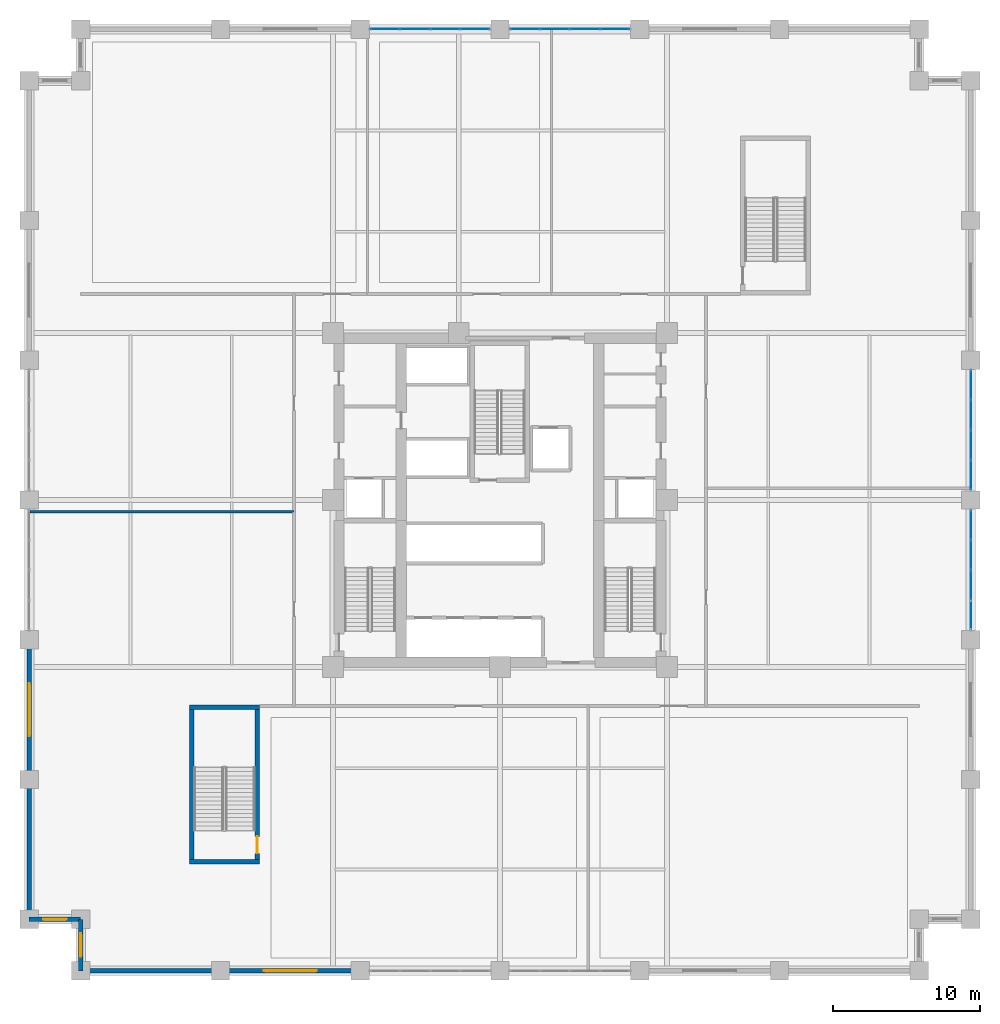
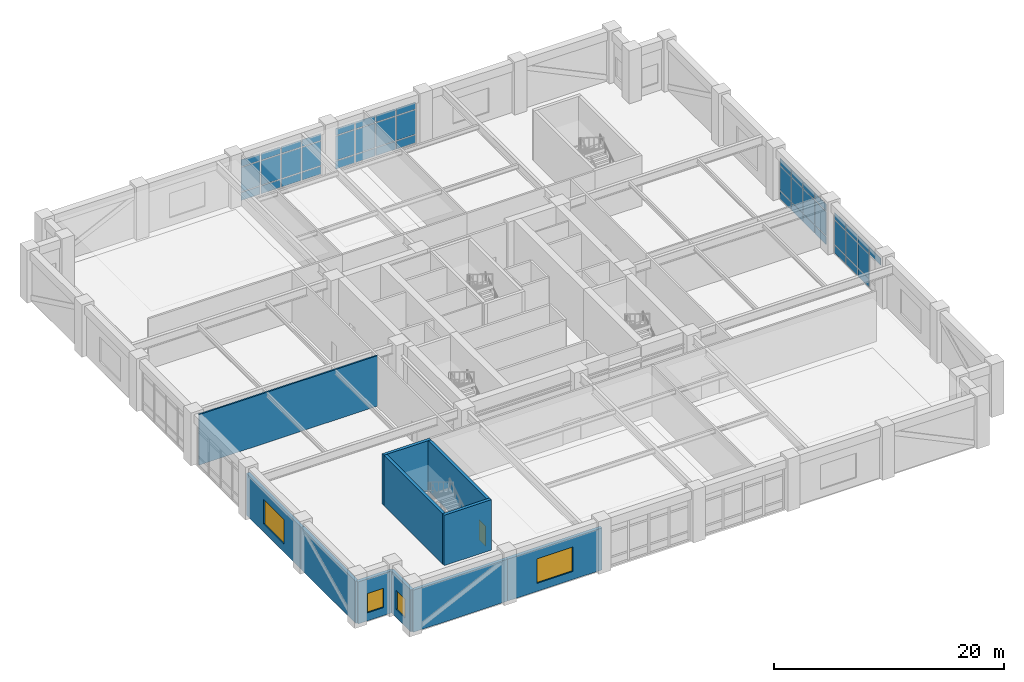
# One storey, part 11 of 21: 46 plates, 11 walls, 4 windows, 1 door, 5 openings, 4 elements without a shape of their own.
"""IFC4 building model written with IfcOpenShell, lengths in metres."""

import ifcopenshell
import ifcopenshell.guid

model = None  # the IFC model being written
_history = None  # IfcOwnerHistory: only IFC2X3 demands one
_inside = {}  # id of a spatial element -> (the spatial element, [elements in it])
_under = {}  # id of a project, library or spatial element -> (it, [spatial elements below it])
_declared = {}  # id of a project -> (the project, [libraries it declares])
_typed = {}  # id of a type object -> (the type object, [elements of that type])
_made_of = {}  # id of a material, layer set ... -> (it, [elements and type objects made of it])


def new_model(schema):
    """Start an empty IFC model of exactly this schema.

    Asked for "IFC4X3", IfcOpenShell would pick the latest addendum, in which some entities
    have other attributes; the version numbers below select the first issue.
    IFC2X3 requires an IfcOwnerHistory on every rooted entity: one is made here for all.
    """
    global model, _history
    if schema == "IFC4X3":
        model = ifcopenshell.file(schema_version=(4, 3, 0, 0))
    else:
        model = ifcopenshell.file(schema=schema)
    _inside.clear()
    _under.clear()
    _declared.clear()
    _typed.clear()
    _made_of.clear()
    _history = None
    if model.schema == "IFC2X3":
        org = make("IfcOrganization", Name="unknown")
        user = make(
            "IfcPersonAndOrganization",
            ThePerson=make("IfcPerson", FamilyName="unknown"),
            TheOrganization=org,
        )
        app = make(
            "IfcApplication",
            ApplicationDeveloper=org,
            Version="unknown",
            ApplicationFullName="unknown",
            ApplicationIdentifier="unknown",
        )
        _history = make(
            "IfcOwnerHistory",
            OwningUser=user,
            OwningApplication=app,
            ChangeAction="ADDED",
            CreationDate=0,
        )
    return model


def make(cls, **values):
    """One entity of the class cls with the attributes given. An attribute that is None is left unset."""
    return model.create_entity(
        cls, **{name: value for name, value in values.items() if value is not None}
    )


def rooted(cls, **values):
    """An entity with a GlobalId (a new one), such as an element, a storey or a relation."""
    return make(cls, GlobalId=ifcopenshell.guid.new(), OwnerHistory=_history, **values)


def si_unit(unit_type, name, prefix=None):
    """IfcSIUnit, for example si_unit("LENGTHUNIT", "METRE", prefix="MILLI")."""
    return make("IfcSIUnit", UnitType=unit_type, Prefix=prefix, Name=name)


def assignment(units):
    """IfcUnitAssignment: the units of a project."""
    return None if units is None else make("IfcUnitAssignment", Units=units)


def point(xyz):
    """IfcCartesianPoint."""
    return None if xyz is None else make("IfcCartesianPoint", Coordinates=xyz)


def direction(xyz):
    """IfcDirection."""
    return None if xyz is None else make("IfcDirection", DirectionRatios=xyz)


def frame(location, z_axis=None, x_axis=None):
    """IfcAxis2Placement3D, a coordinate frame: its origin and axes. An axis left out is left unset."""
    return make(
        "IfcAxis2Placement3D",
        Location=point(location),
        Axis=direction(z_axis),
        RefDirection=direction(x_axis),
    )


def frame_2d(location, x_axis=None):
    """IfcAxis2Placement2D, a coordinate frame in the plane: its origin and x axis."""
    return make(
        "IfcAxis2Placement2D", Location=point(location), RefDirection=direction(x_axis)
    )


def origin():
    """The frame at (0, 0, 0) with its axes left unset."""
    return frame((0.0, 0.0, 0.0))


def origin_2d():
    """The frame at (0, 0) in the plane with its x axis left unset."""
    return frame_2d((0.0, 0.0))


def place(relative_to, where):
    """IfcLocalPlacement: puts the frame where relative to a parent placement (None: the world)."""
    return make(
        "IfcLocalPlacement", PlacementRelTo=relative_to, RelativePlacement=where
    )


def context(
    kind, dimensions, precision=None, world=None, true_north=None, identifier=None
):
    """IfcGeometricRepresentationContext, for example the 3D "Model" context."""
    return make(
        "IfcGeometricRepresentationContext",
        ContextIdentifier=identifier,
        ContextType=kind,
        CoordinateSpaceDimension=dimensions,
        Precision=precision,
        WorldCoordinateSystem=world,
        TrueNorth=true_north,
    )


def subcontext(parent, identifier, kind, view, scale=None):
    """IfcGeometricRepresentationSubContext, for example "Body" below "Model"."""
    return make(
        "IfcGeometricRepresentationSubContext",
        ContextIdentifier=identifier,
        ContextType=kind,
        ParentContext=parent,
        TargetScale=scale,
        TargetView=view,
    )


def project(units=None, contexts=None):
    """IfcProject with its units and contexts."""
    return rooted(
        "IfcProject",
        Name="project",
        RepresentationContexts=contexts,
        UnitsInContext=assignment(units),
    )


def spatial(cls, under=None, at=None, **own):
    """A site, building, storey or space (cls), placed at a placement, below another one or the project."""
    s = rooted(cls, ObjectPlacement=at, **own)
    if under is not None:
        _under.setdefault(under.id(), (under, []))[1].append(s)
    return s


def profile(cls, at=None, kind="AREA", **sizes):
    """A parametric profile (cls). Its sizes go by their IFC names, for example OverallWidth=200.0."""
    return make(cls, ProfileType=kind, Position=at, **sizes)


def rectangle(**sizes):
    """IfcRectangleProfileDef."""
    return profile("IfcRectangleProfileDef", **sizes)


def extrude(swept, where, along, depth):
    """IfcExtrudedAreaSolid: the profile swept, set in the frame where, extruded along a direction by depth."""
    return make(
        "IfcExtrudedAreaSolid",
        SweptArea=swept,
        Position=where,
        ExtrudedDirection=direction(along),
        Depth=depth,
    )


def shape(context_of_items, identifier, shape_type, items):
    """IfcShapeRepresentation: the items that make up one representation, for example the "Body"."""
    return make(
        "IfcShapeRepresentation",
        ContextOfItems=context_of_items,
        RepresentationIdentifier=identifier,
        RepresentationType=shape_type,
        Items=items,
    )


def material(Name=None, Category=None):
    """IfcMaterial."""
    return make("IfcMaterial", Name=Name, Category=Category)


def layer(
    of_material, thickness, ventilated=None, Name=None, Category=None, Priority=None
):
    """IfcMaterialLayer: one layer of a wall or slab, of a material (None: an air gap)."""
    return make(
        "IfcMaterialLayer",
        Material=of_material,
        LayerThickness=thickness,
        IsVentilated=ventilated,
        Name=Name,
        Category=Category,
        Priority=Priority,
    )


def layer_set(layers, Name=None):
    """IfcMaterialLayerSet."""
    return make("IfcMaterialLayerSet", MaterialLayers=layers, LayerSetName=Name)


def made_of(thing, what):
    """Note that an element or type object is made of a material, layer set ...; save() writes the relation."""
    if what is not None:
        _made_of.setdefault(what.id(), (what, []))[1].append(thing)
    return thing


def type_object(cls, material=None, **own):
    """A type object (cls), such as IfcWallType, which elements share."""
    return made_of(rooted(cls, **own), material)


def element(
    cls,
    number,
    at=None,
    inside=None,
    cuts=None,
    type_object=None,
    material=None,
    context=None,
    identifier="Body",
    shape_type=None,
    held_by="IfcProductDefinitionShape",
    body=None,
    shapes=None,
    **own,
):
    """One element of the class cls, such as IfcWall. Its Tag is "e" and its number.

    at: its placement. inside: the storey or other place that contains it. cuts: it is an
    opening in that element (IfcRelVoidsElement). A single representation is given by context,
    identifier, shape_type and body (its items); several are given by shapes. held_by: the class
    of the entity that holds the representations. save() writes the other relations.
    """
    e = rooted(cls, Tag="e%d" % number, ObjectPlacement=at, **own)
    if body is not None:
        shapes = [shape(context, identifier, shape_type, body)]
    if shapes is not None:
        e.Representation = make(held_by, Representations=shapes)
    if inside is not None:
        _inside.setdefault(inside.id(), (inside, []))[1].append(e)
    if cuts is not None:
        rooted(
            "IfcRelVoidsElement", RelatingBuildingElement=cuts, RelatedOpeningElement=e
        )
    if type_object is not None:
        _typed.setdefault(type_object.id(), (type_object, []))[1].append(e)
    return made_of(e, material)


def fill(opening, filler):
    """IfcRelFillsElement: the door or window that sits in an opening."""
    return rooted(
        "IfcRelFillsElement",
        RelatingOpeningElement=opening,
        RelatedBuildingElement=filler,
    )


def aggregate(whole, parts):
    """IfcRelAggregates: a whole, such as a stair, and the parts it consists of."""
    return rooted("IfcRelAggregates", RelatingObject=whole, RelatedObjects=parts)


def save(model, path):
    """Write the relations noted so far, then the file.

    IfcRelAggregates (storeys below a building ...), IfcRelContainedInSpatialStructure (elements
    in a storey), IfcRelDefinesByType, IfcRelAssociatesMaterial and IfcRelDeclares: one each for
    every whole, place, type object, material and project.
    """
    for whole, parts in _under.values():
        aggregate(whole, parts)
    for where, things in _inside.values():
        rooted(
            "IfcRelContainedInSpatialStructure",
            RelatedElements=things,
            RelatingStructure=where,
        )
    for kind, things in _typed.values():
        rooted("IfcRelDefinesByType", RelatedObjects=things, RelatingType=kind)
    for what, things in _made_of.values():
        rooted("IfcRelAssociatesMaterial", RelatedObjects=things, RelatingMaterial=what)
    for by, libraries in _declared.values():
        rooted("IfcRelDeclares", RelatingContext=by, RelatedDefinitions=libraries)
    model.write(path)


model = new_model("IFC4")

# Units and contexts
model_context = context("Model", 3, precision=1e-05, world=origin(), true_north=direction((0.0, 1.0)))
body_context = subcontext(model_context, "Body", "Model", "MODEL_VIEW")
ifc_project = project(units=[si_unit("LENGTHUNIT", "METRE"), si_unit("AREAUNIT", "SQUARE_METRE"), si_unit("VOLUMEUNIT", "CUBIC_METRE"), si_unit("PLANEANGLEUNIT", "RADIAN"), si_unit("MASSUNIT", "GRAM", prefix="KILO")], contexts=[model_context])

# Site, building, storey
site_placement = place(None, origin())
site = spatial("IfcSite", under=ifc_project, at=site_placement, CompositionType="ELEMENT")
building_placement = place(site_placement, origin())
building = spatial("IfcBuilding", under=site, at=building_placement, Name="Nhamokura Convention Tower", CompositionType="ELEMENT")
storey_placement = place(building_placement, frame((0.0, 0.0, 6.64990234375)))
storey = spatial("IfcBuildingStorey", under=building, at=storey_placement, Name="L01", CompositionType="ELEMENT", Elevation=6.64990234375)

# Curtain wall, plates
ifc_material_1 = material(Name="Anodised bronze aluminium AA6063-T6", Category="aluminium")
ifc_layer_1 = layer(ifc_material_1, 0.179931640625)
ifc_layer_set_1 = layer_set([ifc_layer_1], Name="CWSystem_PodiumConcourse")
curtain_wall_type = type_object("IfcCurtainWallType", Name="CWSystem_PodiumConcourse", PredefinedType="NOTDEFINED", material=ifc_layer_set_1)
curtain_wall_1_placement = place(storey_placement, origin())
curtain_wall_1 = element("IfcCurtainWall", 1, at=curtain_wall_1_placement, inside=storey, type_object=curtain_wall_type, Name="L01 Curtain Wall ENV-L01-CW-N2", PredefinedType="NOTDEFINED")
ifc_material_2 = material(Name="Solar-control bronze low-E double glass", Category="glass")
ifc_layer_2 = layer(ifc_material_2, 0.031982421875)
ifc_layer_set_2 = layer_set([ifc_layer_2], Name="CWGlazedPanel_1")
plate_type = type_object("IfcPlateType", Name="CWGlazedPanel_1", PredefinedType="CURTAIN_PANEL", material=ifc_layer_set_2)
plate_1_placement = place(storey_placement, frame((24.194580078125, 64.0, 0.078125), z_axis=(0.0, 0.0, 1.0), x_axis=(1.0, 0.0, 0.0)))
plate_1 = element("IfcPlate", 2, at=plate_1_placement, type_object=plate_type, Name="CW-01 panel 1.1", PredefinedType="CURTAIN_PANEL", context=body_context, shape_type="SweptSolid", body=[
    extrude(rectangle(XDim=1.93310546875, YDim=0.031982421875, at=origin_2d()), origin(), (0.0, 0.0, 1.0), 0.8330078125),
])
plate_2_placement = place(storey_placement, frame((24.194580078125, 64.0, 0.989013671875), z_axis=(0.0, 0.0, 1.0), x_axis=(1.0, 0.0, 0.0)))
plate_2 = element("IfcPlate", 3, at=plate_2_placement, type_object=plate_type, Name="CW-01 panel 1.2", PredefinedType="CURTAIN_PANEL", context=body_context, shape_type="SweptSolid", body=[
    extrude(rectangle(XDim=1.93310546875, YDim=0.031982421875, at=origin_2d()), origin(), (0.0, 0.0, 1.0), 2.58203125),
])
plate_3_placement = place(storey_placement, frame((24.194580078125, 64.0, 3.649169921875), z_axis=(0.0, 0.0, 1.0), x_axis=(1.0, 0.0, 0.0)))
plate_3 = element("IfcPlate", 4, at=plate_3_placement, type_object=plate_type, Name="CW-01 panel 1.3", PredefinedType="CURTAIN_PANEL", context=body_context, shape_type="SweptSolid", body=[
    extrude(rectangle(XDim=1.93310546875, YDim=0.031982421875, at=origin_2d()), origin(), (0.0, 0.0, 1.0), 0.73291015625),
])
plate_4_placement = place(storey_placement, frame((26.22509765625, 64.0, 0.078125), z_axis=(0.0, 0.0, 1.0), x_axis=(1.0, 0.0, 0.0)))
plate_4 = element("IfcPlate", 5, at=plate_4_placement, type_object=plate_type, Name="CW-01 panel 2.1", PredefinedType="CURTAIN_PANEL", context=body_context, shape_type="SweptSolid", body=[
    extrude(rectangle(XDim=1.971923828125, YDim=0.031982421875, at=origin_2d()), origin(), (0.0, 0.0, 1.0), 0.8330078125),
])
plate_5_placement = place(storey_placement, frame((26.22509765625, 64.0, 0.989013671875), z_axis=(0.0, 0.0, 1.0), x_axis=(1.0, 0.0, 0.0)))
plate_5 = element("IfcPlate", 6, at=plate_5_placement, type_object=plate_type, Name="CW-01 panel 2.2", PredefinedType="CURTAIN_PANEL", context=body_context, shape_type="SweptSolid", body=[
    extrude(rectangle(XDim=1.971923828125, YDim=0.031982421875, at=origin_2d()), origin(), (0.0, 0.0, 1.0), 2.58203125),
])
plate_6_placement = place(storey_placement, frame((26.22509765625, 64.0, 3.649169921875), z_axis=(0.0, 0.0, 1.0), x_axis=(1.0, 0.0, 0.0)))
plate_6 = element("IfcPlate", 7, at=plate_6_placement, type_object=plate_type, Name="CW-01 panel 2.3", PredefinedType="CURTAIN_PANEL", context=body_context, shape_type="SweptSolid", body=[
    extrude(rectangle(XDim=1.971923828125, YDim=0.031982421875, at=origin_2d()), origin(), (0.0, 0.0, 1.0), 0.73291015625),
])
plate_7_placement = place(storey_placement, frame((28.27490234375, 64.0, 0.078125), z_axis=(0.0, 0.0, 1.0), x_axis=(1.0, 0.0, 0.0)))
plate_7 = element("IfcPlate", 8, at=plate_7_placement, type_object=plate_type, Name="CW-01 panel 3.1", PredefinedType="CURTAIN_PANEL", context=body_context, shape_type="SweptSolid", body=[
    extrude(rectangle(XDim=1.971923828125, YDim=0.031982421875, at=origin_2d()), origin(), (0.0, 0.0, 1.0), 0.8330078125),
])
plate_8_placement = place(storey_placement, frame((28.27490234375, 64.0, 0.989013671875), z_axis=(0.0, 0.0, 1.0), x_axis=(1.0, 0.0, 0.0)))
plate_8 = element("IfcPlate", 9, at=plate_8_placement, type_object=plate_type, Name="CW-01 panel 3.2", PredefinedType="CURTAIN_PANEL", context=body_context, shape_type="SweptSolid", body=[
    extrude(rectangle(XDim=1.971923828125, YDim=0.031982421875, at=origin_2d()), origin(), (0.0, 0.0, 1.0), 2.58203125),
])
plate_9_placement = place(storey_placement, frame((28.27490234375, 64.0, 3.649169921875), z_axis=(0.0, 0.0, 1.0), x_axis=(1.0, 0.0, 0.0)))
plate_9 = element("IfcPlate", 10, at=plate_9_placement, type_object=plate_type, Name="CW-01 panel 3.3", PredefinedType="CURTAIN_PANEL", context=body_context, shape_type="SweptSolid", body=[
    extrude(rectangle(XDim=1.971923828125, YDim=0.031982421875, at=origin_2d()), origin(), (0.0, 0.0, 1.0), 0.73291015625),
])
plate_10_placement = place(storey_placement, frame((30.305419921875, 64.0, 0.078125), z_axis=(0.0, 0.0, 1.0), x_axis=(1.0, 0.0, 0.0)))
plate_10 = element("IfcPlate", 11, at=plate_10_placement, type_object=plate_type, Name="CW-01 panel 4.1", PredefinedType="CURTAIN_PANEL", context=body_context, shape_type="SweptSolid", body=[
    extrude(rectangle(XDim=1.93310546875, YDim=0.031982421875, at=origin_2d()), origin(), (0.0, 0.0, 1.0), 0.8330078125),
])
plate_11_placement = place(storey_placement, frame((30.305419921875, 64.0, 0.989013671875), z_axis=(0.0, 0.0, 1.0), x_axis=(1.0, 0.0, 0.0)))
plate_11 = element("IfcPlate", 12, at=plate_11_placement, type_object=plate_type, Name="CW-01 panel 4.2", PredefinedType="CURTAIN_PANEL", context=body_context, shape_type="SweptSolid", body=[
    extrude(rectangle(XDim=1.93310546875, YDim=0.031982421875, at=origin_2d()), origin(), (0.0, 0.0, 1.0), 2.58203125),
])
plate_12_placement = place(storey_placement, frame((30.305419921875, 64.0, 3.649169921875), z_axis=(0.0, 0.0, 1.0), x_axis=(1.0, 0.0, 0.0)))
plate_12 = element("IfcPlate", 13, at=plate_12_placement, type_object=plate_type, Name="CW-01 panel 4.3", PredefinedType="CURTAIN_PANEL", context=body_context, shape_type="SweptSolid", body=[
    extrude(rectangle(XDim=1.93310546875, YDim=0.031982421875, at=origin_2d()), origin(), (0.0, 0.0, 1.0), 0.73291015625),
])
aggregate(curtain_wall_1, [plate_1, plate_2, plate_3, plate_4, plate_5, plate_6, plate_7, plate_8, plate_9, plate_10, plate_11, plate_12])

curtain_wall_2_placement = place(storey_placement, origin())
curtain_wall_2 = element("IfcCurtainWall", 14, at=curtain_wall_2_placement, inside=storey, type_object=curtain_wall_type, Name="L01 Curtain Wall ENV-L01-CW-N3", PredefinedType="NOTDEFINED")
plate_13_placement = place(storey_placement, frame((33.694580078125, 64.0, 0.078125), z_axis=(0.0, 0.0, 1.0), x_axis=(1.0, 0.0, 0.0)))
plate_13 = element("IfcPlate", 15, at=plate_13_placement, type_object=plate_type, Name="CW-01 panel 1.1", PredefinedType="CURTAIN_PANEL", context=body_context, shape_type="SweptSolid", body=[
    extrude(rectangle(XDim=1.93310546875, YDim=0.031982421875, at=origin_2d()), origin(), (0.0, 0.0, 1.0), 0.8330078125),
])
plate_14_placement = place(storey_placement, frame((33.694580078125, 64.0, 0.989013671875), z_axis=(0.0, 0.0, 1.0), x_axis=(1.0, 0.0, 0.0)))
plate_14 = element("IfcPlate", 16, at=plate_14_placement, type_object=plate_type, Name="CW-01 panel 1.2", PredefinedType="CURTAIN_PANEL", context=body_context, shape_type="SweptSolid", body=[
    extrude(rectangle(XDim=1.93310546875, YDim=0.031982421875, at=origin_2d()), origin(), (0.0, 0.0, 1.0), 2.58203125),
])
plate_15_placement = place(storey_placement, frame((33.694580078125, 64.0, 3.649169921875), z_axis=(0.0, 0.0, 1.0), x_axis=(1.0, 0.0, 0.0)))
plate_15 = element("IfcPlate", 17, at=plate_15_placement, type_object=plate_type, Name="CW-01 panel 1.3", PredefinedType="CURTAIN_PANEL", context=body_context, shape_type="SweptSolid", body=[
    extrude(rectangle(XDim=1.93310546875, YDim=0.031982421875, at=origin_2d()), origin(), (0.0, 0.0, 1.0), 0.73291015625),
])
plate_16_placement = place(storey_placement, frame((35.72509765625, 64.0, 0.078125), z_axis=(0.0, 0.0, 1.0), x_axis=(1.0, 0.0, 0.0)))
plate_16 = element("IfcPlate", 18, at=plate_16_placement, type_object=plate_type, Name="CW-01 panel 2.1", PredefinedType="CURTAIN_PANEL", context=body_context, shape_type="SweptSolid", body=[
    extrude(rectangle(XDim=1.971923828125, YDim=0.031982421875, at=origin_2d()), origin(), (0.0, 0.0, 1.0), 0.8330078125),
])
plate_17_placement = place(storey_placement, frame((35.72509765625, 64.0, 0.989013671875), z_axis=(0.0, 0.0, 1.0), x_axis=(1.0, 0.0, 0.0)))
plate_17 = element("IfcPlate", 19, at=plate_17_placement, type_object=plate_type, Name="CW-01 panel 2.2", PredefinedType="CURTAIN_PANEL", context=body_context, shape_type="SweptSolid", body=[
    extrude(rectangle(XDim=1.971923828125, YDim=0.031982421875, at=origin_2d()), origin(), (0.0, 0.0, 1.0), 2.58203125),
])
plate_18_placement = place(storey_placement, frame((35.72509765625, 64.0, 3.649169921875), z_axis=(0.0, 0.0, 1.0), x_axis=(1.0, 0.0, 0.0)))
plate_18 = element("IfcPlate", 20, at=plate_18_placement, type_object=plate_type, Name="CW-01 panel 2.3", PredefinedType="CURTAIN_PANEL", context=body_context, shape_type="SweptSolid", body=[
    extrude(rectangle(XDim=1.971923828125, YDim=0.031982421875, at=origin_2d()), origin(), (0.0, 0.0, 1.0), 0.73291015625),
])
plate_19_placement = place(storey_placement, frame((37.77490234375, 64.0, 0.078125), z_axis=(0.0, 0.0, 1.0), x_axis=(1.0, 0.0, 0.0)))
plate_19 = element("IfcPlate", 21, at=plate_19_placement, type_object=plate_type, Name="CW-01 panel 3.1", PredefinedType="CURTAIN_PANEL", context=body_context, shape_type="SweptSolid", body=[
    extrude(rectangle(XDim=1.971923828125, YDim=0.031982421875, at=origin_2d()), origin(), (0.0, 0.0, 1.0), 0.8330078125),
])
plate_20_placement = place(storey_placement, frame((37.77490234375, 64.0, 0.989013671875), z_axis=(0.0, 0.0, 1.0), x_axis=(1.0, 0.0, 0.0)))
plate_20 = element("IfcPlate", 22, at=plate_20_placement, type_object=plate_type, Name="CW-01 panel 3.2", PredefinedType="CURTAIN_PANEL", context=body_context, shape_type="SweptSolid", body=[
    extrude(rectangle(XDim=1.971923828125, YDim=0.031982421875, at=origin_2d()), origin(), (0.0, 0.0, 1.0), 2.58203125),
])
plate_21_placement = place(storey_placement, frame((37.77490234375, 64.0, 3.649169921875), z_axis=(0.0, 0.0, 1.0), x_axis=(1.0, 0.0, 0.0)))
plate_21 = element("IfcPlate", 23, at=plate_21_placement, type_object=plate_type, Name="CW-01 panel 3.3", PredefinedType="CURTAIN_PANEL", context=body_context, shape_type="SweptSolid", body=[
    extrude(rectangle(XDim=1.971923828125, YDim=0.031982421875, at=origin_2d()), origin(), (0.0, 0.0, 1.0), 0.73291015625),
])
plate_22_placement = place(storey_placement, frame((39.805419921875, 64.0, 0.078125), z_axis=(0.0, 0.0, 1.0), x_axis=(1.0, 0.0, 0.0)))
plate_22 = element("IfcPlate", 24, at=plate_22_placement, type_object=plate_type, Name="CW-01 panel 4.1", PredefinedType="CURTAIN_PANEL", context=body_context, shape_type="SweptSolid", body=[
    extrude(rectangle(XDim=1.93310546875, YDim=0.031982421875, at=origin_2d()), origin(), (0.0, 0.0, 1.0), 0.8330078125),
])
plate_23_placement = place(storey_placement, frame((39.805419921875, 64.0, 0.989013671875), z_axis=(0.0, 0.0, 1.0), x_axis=(1.0, 0.0, 0.0)))
plate_23 = element("IfcPlate", 25, at=plate_23_placement, type_object=plate_type, Name="CW-01 panel 4.2", PredefinedType="CURTAIN_PANEL", context=body_context, shape_type="SweptSolid", body=[
    extrude(rectangle(XDim=1.93310546875, YDim=0.031982421875, at=origin_2d()), origin(), (0.0, 0.0, 1.0), 2.58203125),
])
plate_24_placement = place(storey_placement, frame((39.805419921875, 64.0, 3.649169921875), z_axis=(0.0, 0.0, 1.0), x_axis=(1.0, 0.0, 0.0)))
plate_24 = element("IfcPlate", 26, at=plate_24_placement, type_object=plate_type, Name="CW-01 panel 4.3", PredefinedType="CURTAIN_PANEL", context=body_context, shape_type="SweptSolid", body=[
    extrude(rectangle(XDim=1.93310546875, YDim=0.031982421875, at=origin_2d()), origin(), (0.0, 0.0, 1.0), 0.73291015625),
])
aggregate(curtain_wall_2, [plate_13, plate_14, plate_15, plate_16, plate_17, plate_18, plate_19, plate_20, plate_21, plate_22, plate_23, plate_24])

curtain_wall_3_placement = place(storey_placement, origin())
curtain_wall_3 = element("IfcCurtainWall", 27, at=curtain_wall_3_placement, inside=storey, type_object=curtain_wall_type, Name="L01 Curtain Wall ENV-L01-CW-E2", PredefinedType="NOTDEFINED")
plate_25_placement = place(storey_placement, frame((64.0, 30.305419921875, 0.078125), z_axis=(0.0, 0.0, 1.0), x_axis=(0.0, -1.0, 0.0)))
plate_25 = element("IfcPlate", 28, at=plate_25_placement, type_object=plate_type, Name="CW-01 panel 1.1", PredefinedType="CURTAIN_PANEL", context=body_context, shape_type="SweptSolid", body=[
    extrude(rectangle(XDim=1.93310546875, YDim=0.031982421875, at=origin_2d()), origin(), (0.0, 0.0, 1.0), 0.8330078125),
])
plate_26_placement = place(storey_placement, frame((64.0, 30.305419921875, 0.989013671875), z_axis=(0.0, 0.0, 1.0), x_axis=(0.0, -1.0, 0.0)))
plate_26 = element("IfcPlate", 29, at=plate_26_placement, type_object=plate_type, Name="CW-01 panel 1.2", PredefinedType="CURTAIN_PANEL", context=body_context, shape_type="SweptSolid", body=[
    extrude(rectangle(XDim=1.93310546875, YDim=0.031982421875, at=origin_2d()), origin(), (0.0, 0.0, 1.0), 2.58203125),
])
plate_27_placement = place(storey_placement, frame((64.0, 30.305419921875, 3.649169921875), z_axis=(0.0, 0.0, 1.0), x_axis=(0.0, -1.0, 0.0)))
plate_27 = element("IfcPlate", 30, at=plate_27_placement, type_object=plate_type, Name="CW-01 panel 1.3", PredefinedType="CURTAIN_PANEL", context=body_context, shape_type="SweptSolid", body=[
    extrude(rectangle(XDim=1.93310546875, YDim=0.031982421875, at=origin_2d()), origin(), (0.0, 0.0, 1.0), 0.73291015625),
])
plate_28_placement = place(storey_placement, frame((64.0, 28.27490234375, 0.078125), z_axis=(0.0, 0.0, 1.0), x_axis=(0.0, -1.0, 0.0)))
plate_28 = element("IfcPlate", 31, at=plate_28_placement, type_object=plate_type, Name="CW-01 panel 2.1", PredefinedType="CURTAIN_PANEL", context=body_context, shape_type="SweptSolid", body=[
    extrude(rectangle(XDim=1.971923828125, YDim=0.031982421875, at=origin_2d()), origin(), (0.0, 0.0, 1.0), 0.8330078125),
])
plate_29_placement = place(storey_placement, frame((64.0, 28.27490234375, 0.989013671875), z_axis=(0.0, 0.0, 1.0), x_axis=(0.0, -1.0, 0.0)))
plate_29 = element("IfcPlate", 32, at=plate_29_placement, type_object=plate_type, Name="CW-01 panel 2.2", PredefinedType="CURTAIN_PANEL", context=body_context, shape_type="SweptSolid", body=[
    extrude(rectangle(XDim=1.971923828125, YDim=0.031982421875, at=origin_2d()), origin(), (0.0, 0.0, 1.0), 2.58203125),
])
plate_30_placement = place(storey_placement, frame((64.0, 28.27490234375, 3.649169921875), z_axis=(0.0, 0.0, 1.0), x_axis=(0.0, -1.0, 0.0)))
plate_30 = element("IfcPlate", 33, at=plate_30_placement, type_object=plate_type, Name="CW-01 panel 2.3", PredefinedType="CURTAIN_PANEL", context=body_context, shape_type="SweptSolid", body=[
    extrude(rectangle(XDim=1.971923828125, YDim=0.031982421875, at=origin_2d()), origin(), (0.0, 0.0, 1.0), 0.73291015625),
])
plate_31_placement = place(storey_placement, frame((64.0, 26.22509765625, 0.078125), z_axis=(0.0, 0.0, 1.0), x_axis=(0.0, -1.0, 0.0)))
plate_31 = element("IfcPlate", 34, at=plate_31_placement, type_object=plate_type, Name="CW-01 panel 3.1", PredefinedType="CURTAIN_PANEL", context=body_context, shape_type="SweptSolid", body=[
    extrude(rectangle(XDim=1.971923828125, YDim=0.031982421875, at=origin_2d()), origin(), (0.0, 0.0, 1.0), 0.8330078125),
])
plate_32_placement = place(storey_placement, frame((64.0, 26.22509765625, 0.989013671875), z_axis=(0.0, 0.0, 1.0), x_axis=(0.0, -1.0, 0.0)))
plate_32 = element("IfcPlate", 35, at=plate_32_placement, type_object=plate_type, Name="CW-01 panel 3.2", PredefinedType="CURTAIN_PANEL", context=body_context, shape_type="SweptSolid", body=[
    extrude(rectangle(XDim=1.971923828125, YDim=0.031982421875, at=origin_2d()), origin(), (0.0, 0.0, 1.0), 2.58203125),
])
plate_33_placement = place(storey_placement, frame((64.0, 26.22509765625, 3.649169921875), z_axis=(0.0, 0.0, 1.0), x_axis=(0.0, -1.0, 0.0)))
plate_33 = element("IfcPlate", 36, at=plate_33_placement, type_object=plate_type, Name="CW-01 panel 3.3", PredefinedType="CURTAIN_PANEL", context=body_context, shape_type="SweptSolid", body=[
    extrude(rectangle(XDim=1.971923828125, YDim=0.031982421875, at=origin_2d()), origin(), (0.0, 0.0, 1.0), 0.73291015625),
])
plate_34_placement = place(storey_placement, frame((64.0, 24.194580078125, 3.649169921875), z_axis=(0.0, 0.0, 1.0), x_axis=(0.0, -1.0, 0.0)))
plate_34 = element("IfcPlate", 37, at=plate_34_placement, type_object=plate_type, Name="CW-01 panel 4.3", PredefinedType="CURTAIN_PANEL", context=body_context, shape_type="SweptSolid", body=[
    extrude(rectangle(XDim=1.93310546875, YDim=0.031982421875, at=origin_2d()), origin(), (0.0, 0.0, 1.0), 0.73291015625),
])
aggregate(curtain_wall_3, [plate_25, plate_26, plate_27, plate_28, plate_29, plate_30, plate_31, plate_32, plate_33, plate_34])

curtain_wall_4_placement = place(storey_placement, origin())
curtain_wall_4 = element("IfcCurtainWall", 38, at=curtain_wall_4_placement, inside=storey, type_object=curtain_wall_type, Name="L01 Curtain Wall ENV-L01-CW-E3", PredefinedType="NOTDEFINED")
plate_35_placement = place(storey_placement, frame((64.0, 39.805419921875, 0.078125), z_axis=(0.0, 0.0, 1.0), x_axis=(0.0, -1.0, 0.0)))
plate_35 = element("IfcPlate", 39, at=plate_35_placement, type_object=plate_type, Name="CW-01 panel 1.1", PredefinedType="CURTAIN_PANEL", context=body_context, shape_type="SweptSolid", body=[
    extrude(rectangle(XDim=1.93310546875, YDim=0.031982421875, at=origin_2d()), origin(), (0.0, 0.0, 1.0), 0.8330078125),
])
plate_36_placement = place(storey_placement, frame((64.0, 39.805419921875, 0.989013671875), z_axis=(0.0, 0.0, 1.0), x_axis=(0.0, -1.0, 0.0)))
plate_36 = element("IfcPlate", 40, at=plate_36_placement, type_object=plate_type, Name="CW-01 panel 1.2", PredefinedType="CURTAIN_PANEL", context=body_context, shape_type="SweptSolid", body=[
    extrude(rectangle(XDim=1.93310546875, YDim=0.031982421875, at=origin_2d()), origin(), (0.0, 0.0, 1.0), 2.58203125),
])
plate_37_placement = place(storey_placement, frame((64.0, 39.805419921875, 3.649169921875), z_axis=(0.0, 0.0, 1.0), x_axis=(0.0, -1.0, 0.0)))
plate_37 = element("IfcPlate", 41, at=plate_37_placement, type_object=plate_type, Name="CW-01 panel 1.3", PredefinedType="CURTAIN_PANEL", context=body_context, shape_type="SweptSolid", body=[
    extrude(rectangle(XDim=1.93310546875, YDim=0.031982421875, at=origin_2d()), origin(), (0.0, 0.0, 1.0), 0.73291015625),
])
plate_38_placement = place(storey_placement, frame((64.0, 37.77490234375, 0.078125), z_axis=(0.0, 0.0, 1.0), x_axis=(0.0, -1.0, 0.0)))
plate_38 = element("IfcPlate", 42, at=plate_38_placement, type_object=plate_type, Name="CW-01 panel 2.1", PredefinedType="CURTAIN_PANEL", context=body_context, shape_type="SweptSolid", body=[
    extrude(rectangle(XDim=1.971923828125, YDim=0.031982421875, at=origin_2d()), origin(), (0.0, 0.0, 1.0), 0.8330078125),
])
plate_39_placement = place(storey_placement, frame((64.0, 37.77490234375, 0.989013671875), z_axis=(0.0, 0.0, 1.0), x_axis=(0.0, -1.0, 0.0)))
plate_39 = element("IfcPlate", 43, at=plate_39_placement, type_object=plate_type, Name="CW-01 panel 2.2", PredefinedType="CURTAIN_PANEL", context=body_context, shape_type="SweptSolid", body=[
    extrude(rectangle(XDim=1.971923828125, YDim=0.031982421875, at=origin_2d()), origin(), (0.0, 0.0, 1.0), 2.58203125),
])
plate_40_placement = place(storey_placement, frame((64.0, 37.77490234375, 3.649169921875), z_axis=(0.0, 0.0, 1.0), x_axis=(0.0, -1.0, 0.0)))
plate_40 = element("IfcPlate", 44, at=plate_40_placement, type_object=plate_type, Name="CW-01 panel 2.3", PredefinedType="CURTAIN_PANEL", context=body_context, shape_type="SweptSolid", body=[
    extrude(rectangle(XDim=1.971923828125, YDim=0.031982421875, at=origin_2d()), origin(), (0.0, 0.0, 1.0), 0.73291015625),
])
plate_41_placement = place(storey_placement, frame((64.0, 35.72509765625, 0.078125), z_axis=(0.0, 0.0, 1.0), x_axis=(0.0, -1.0, 0.0)))
plate_41 = element("IfcPlate", 45, at=plate_41_placement, type_object=plate_type, Name="CW-01 panel 3.1", PredefinedType="CURTAIN_PANEL", context=body_context, shape_type="SweptSolid", body=[
    extrude(rectangle(XDim=1.971923828125, YDim=0.031982421875, at=origin_2d()), origin(), (0.0, 0.0, 1.0), 0.8330078125),
])
plate_42_placement = place(storey_placement, frame((64.0, 35.72509765625, 0.989013671875), z_axis=(0.0, 0.0, 1.0), x_axis=(0.0, -1.0, 0.0)))
plate_42 = element("IfcPlate", 46, at=plate_42_placement, type_object=plate_type, Name="CW-01 panel 3.2", PredefinedType="CURTAIN_PANEL", context=body_context, shape_type="SweptSolid", body=[
    extrude(rectangle(XDim=1.971923828125, YDim=0.031982421875, at=origin_2d()), origin(), (0.0, 0.0, 1.0), 2.58203125),
])
plate_43_placement = place(storey_placement, frame((64.0, 35.72509765625, 3.649169921875), z_axis=(0.0, 0.0, 1.0), x_axis=(0.0, -1.0, 0.0)))
plate_43 = element("IfcPlate", 47, at=plate_43_placement, type_object=plate_type, Name="CW-01 panel 3.3", PredefinedType="CURTAIN_PANEL", context=body_context, shape_type="SweptSolid", body=[
    extrude(rectangle(XDim=1.971923828125, YDim=0.031982421875, at=origin_2d()), origin(), (0.0, 0.0, 1.0), 0.73291015625),
])
plate_44_placement = place(storey_placement, frame((64.0, 33.694580078125, 0.078125), z_axis=(0.0, 0.0, 1.0), x_axis=(0.0, -1.0, 0.0)))
plate_44 = element("IfcPlate", 48, at=plate_44_placement, type_object=plate_type, Name="CW-01 panel 4.1", PredefinedType="CURTAIN_PANEL", context=body_context, shape_type="SweptSolid", body=[
    extrude(rectangle(XDim=1.93310546875, YDim=0.031982421875, at=origin_2d()), origin(), (0.0, 0.0, 1.0), 0.8330078125),
])
plate_45_placement = place(storey_placement, frame((64.0, 33.694580078125, 0.989013671875), z_axis=(0.0, 0.0, 1.0), x_axis=(0.0, -1.0, 0.0)))
plate_45 = element("IfcPlate", 49, at=plate_45_placement, type_object=plate_type, Name="CW-01 panel 4.2", PredefinedType="CURTAIN_PANEL", context=body_context, shape_type="SweptSolid", body=[
    extrude(rectangle(XDim=1.93310546875, YDim=0.031982421875, at=origin_2d()), origin(), (0.0, 0.0, 1.0), 2.58203125),
])
plate_46_placement = place(storey_placement, frame((64.0, 33.694580078125, 3.649169921875), z_axis=(0.0, 0.0, 1.0), x_axis=(0.0, -1.0, 0.0)))
plate_46 = element("IfcPlate", 50, at=plate_46_placement, type_object=plate_type, Name="CW-01 panel 4.3", PredefinedType="CURTAIN_PANEL", context=body_context, shape_type="SweptSolid", body=[
    extrude(rectangle(XDim=1.93310546875, YDim=0.031982421875, at=origin_2d()), origin(), (0.0, 0.0, 1.0), 0.73291015625),
])
aggregate(curtain_wall_4, [plate_35, plate_36, plate_37, plate_38, plate_39, plate_40, plate_41, plate_42, plate_43, plate_44, plate_45, plate_46])

# Wall
ifc_material_3 = material(Name="Bronze-pigmented precast concrete C45/55", Category="concrete")
ifc_layer_3 = layer(ifc_material_3, 0.320068359375)
ifc_layer_set_3 = layer_set([ifc_layer_3], Name="BronzePrecastSpandrel_320")
wall_type_1 = type_object("IfcWallType", Name="BronzePrecastSpandrel_320", PredefinedType="USERDEFINED", material=ifc_layer_set_3)
wall_1_placement = place(storey_placement, frame((13.0, 0.0, 0.0), z_axis=(0.0, 0.0, 1.0), x_axis=(-1.0, 0.0, 0.0)))
element("IfcWall", 51, at=wall_1_placement, inside=storey, type_object=wall_type_1, Name="L01 Braced-Bay Precast Wall SOUTH 0", ObjectType="SPANDREL_WALL", PredefinedType="USERDEFINED", context=body_context, shape_type="SweptSolid", body=[
    extrude(rectangle(XDim=9.5, YDim=0.320068359375, at=frame_2d((4.75, 0.0))), origin(), (0.0, 0.0, 1.0), 4.460205078125),
])

# Wall, opening, window
wall_2_placement = place(storey_placement, frame((22.5, 0.0, 0.0), z_axis=(0.0, 0.0, 1.0), x_axis=(-1.0, 0.0, 0.0)))
wall_2 = element("IfcWall", 52, at=wall_2_placement, inside=storey, type_object=wall_type_1, Name="L01 Masonry-Frame Wall SOUTH 1", ObjectType="SPANDREL_WALL", PredefinedType="USERDEFINED", context=body_context, shape_type="SweptSolid", body=[
    extrude(rectangle(XDim=9.5, YDim=0.320068359375, at=frame_2d((4.75, 0.0))), origin(), (0.0, 0.0, 1.0), 4.460205078125),
])
opening_1_placement = place(wall_2_placement, frame((2.949951171875, 0.0, 0.85009765625)))
opening_1 = element("IfcOpeningElement", 53, at=opening_1_placement, cuts=wall_2, Name="Opening W-01", PredefinedType="OPENING", context=body_context, shape_type="SweptSolid", body=[
    extrude(rectangle(XDim=3.60009765625, YDim=2.60009765625, at=frame_2d((1.800048828125, 1.300048828125))), frame((0.0, 0.169921875, 0.0), z_axis=(0.0, -1.0, 0.0), x_axis=(1.0, 0.0, 0.0)), (0.0, 0.0, 1.0), 0.340087890625),
])
ifc_material_4 = material(Name="Solar-control bronze low-E double glass", Category="glass")
window_type_1 = type_object("IfcWindowType", Name="PodiumClerestoryWindow_3600", PartitioningType="TRIPLE_PANEL_VERTICAL", PredefinedType="WINDOW", material=ifc_material_4)
window_1_placement = place(opening_1_placement, origin())
window_1 = element("IfcWindow", 54, at=window_1_placement, inside=storey, type_object=window_type_1, Name="L01 Facade Window SOUTH 1", OverallHeight=2.60009765625, OverallWidth=3.60009765625, PartitioningType="SINGLE_PANEL", PredefinedType="WINDOW", context=body_context, shape_type="SweptSolid", body=[
    extrude(rectangle(XDim=3.60009765625, YDim=2.60009765625, at=frame_2d((1.800048828125, 1.300048828125))), frame((0.0, 0.030029296875, 0.0), z_axis=(0.0, -1.0, 0.0), x_axis=(1.0, 0.0, 0.0)), (0.0, 0.0, 1.0), 0.06005859375),
])
fill(opening_1, window_1)

# Wall
wall_3_placement = place(storey_placement, frame((0.0, 3.5, 0.0), z_axis=(0.0, 0.0, 1.0), x_axis=(0.0, 1.0, 0.0)))
element("IfcWall", 55, at=wall_3_placement, inside=storey, type_object=wall_type_1, Name="L01 Braced-Bay Precast Wall WEST 0", ObjectType="SPANDREL_WALL", PredefinedType="USERDEFINED", context=body_context, shape_type="SweptSolid", body=[
    extrude(rectangle(XDim=9.5, YDim=0.320068359375, at=frame_2d((4.75, 0.0))), origin(), (0.0, 0.0, 1.0), 4.460205078125),
])

# Wall, opening, window
wall_4_placement = place(storey_placement, frame((0.0, 13.0, 0.0), z_axis=(0.0, 0.0, 1.0), x_axis=(0.0, 1.0, 0.0)))
wall_4 = element("IfcWall", 56, at=wall_4_placement, inside=storey, type_object=wall_type_1, Name="L01 Masonry-Frame Wall WEST 1", ObjectType="SPANDREL_WALL", PredefinedType="USERDEFINED", context=body_context, shape_type="SweptSolid", body=[
    extrude(rectangle(XDim=9.5, YDim=0.320068359375, at=frame_2d((4.75, 0.0))), origin(), (0.0, 0.0, 1.0), 4.460205078125),
])
opening_2_placement = place(wall_4_placement, frame((2.949951171875, 0.0, 0.85009765625)))
opening_2 = element("IfcOpeningElement", 57, at=opening_2_placement, cuts=wall_4, Name="Opening W-01", PredefinedType="OPENING", context=body_context, shape_type="SweptSolid", body=[
    extrude(rectangle(XDim=3.60009765625, YDim=2.60009765625, at=frame_2d((1.800048828125, 1.300048828125))), frame((0.0, 0.169921875, 0.0), z_axis=(0.0, -1.0, 0.0), x_axis=(1.0, 0.0, 0.0)), (0.0, 0.0, 1.0), 0.340087890625),
])
window_2_placement = place(opening_2_placement, origin())
window_2 = element("IfcWindow", 58, at=window_2_placement, inside=storey, type_object=window_type_1, Name="L01 Facade Window WEST 1", OverallHeight=2.60009765625, OverallWidth=3.60009765625, PartitioningType="SINGLE_PANEL", PredefinedType="WINDOW", context=body_context, shape_type="SweptSolid", body=[
    extrude(rectangle(XDim=3.60009765625, YDim=2.60009765625, at=frame_2d((1.800048828125, 1.300048828125))), frame((0.0, 0.030029296875, 0.0), z_axis=(0.0, -1.0, 0.0), x_axis=(1.0, 0.0, 0.0)), (0.0, 0.0, 1.0), 0.06005859375),
])
fill(opening_2, window_2)

wall_5_placement = place(storey_placement, frame((3.5, 0.0, 0.0), z_axis=(0.0, 0.0, 1.0), x_axis=(0.0, 1.0, 0.0)))
wall_5 = element("IfcWall", 59, at=wall_5_placement, inside=storey, type_object=wall_type_1, Name="L01 Notched Corner Wall SW1", ObjectType="SPANDREL_WALL", PredefinedType="USERDEFINED", context=body_context, shape_type="SweptSolid", body=[
    extrude(rectangle(XDim=3.5, YDim=0.320068359375, at=frame_2d((1.75, 0.0))), origin(), (0.0, 0.0, 1.0), 4.460205078125),
])
opening_3_placement = place(wall_5_placement, frame((0.949951171875, 0.0, 0.85009765625)))
opening_3 = element("IfcOpeningElement", 60, at=opening_3_placement, cuts=wall_5, Name="Opening W-11", PredefinedType="OPENING", context=body_context, shape_type="SweptSolid", body=[
    extrude(rectangle(XDim=1.60009765625, YDim=2.050048828125, at=frame_2d((0.800048828125, 1.02490234375))), frame((0.0, 0.169921875, 0.0), z_axis=(0.0, -1.0, 0.0), x_axis=(1.0, 0.0, 0.0)), (0.0, 0.0, 1.0), 0.340087890625),
])
ifc_material_5 = material(Name="Solar-control bronze low-E double glass", Category="glass")
window_type_2 = type_object("IfcWindowType", Name="NotchCornerWindow_1600", PartitioningType="SINGLE_PANEL", PredefinedType="WINDOW", material=ifc_material_5)
window_3_placement = place(opening_3_placement, origin())
window_3 = element("IfcWindow", 61, at=window_3_placement, inside=storey, type_object=window_type_2, Name="L01 Notched Corner Window SW1", OverallHeight=2.050048828125, OverallWidth=1.60009765625, PartitioningType="SINGLE_PANEL", PredefinedType="WINDOW", context=body_context, shape_type="SweptSolid", body=[
    extrude(rectangle(XDim=1.60009765625, YDim=2.050048828125, at=frame_2d((0.800048828125, 1.02490234375))), frame((0.0, 0.030029296875, 0.0), z_axis=(0.0, -1.0, 0.0), x_axis=(1.0, 0.0, 0.0)), (0.0, 0.0, 1.0), 0.06005859375),
])
fill(opening_3, window_3)

wall_6_placement = place(storey_placement, frame((3.5, 3.5, 0.0), z_axis=(0.0, 0.0, 1.0), x_axis=(-1.0, 0.0, 0.0)))
wall_6 = element("IfcWall", 62, at=wall_6_placement, inside=storey, type_object=wall_type_1, Name="L01 Notched Corner Wall SW2", ObjectType="SPANDREL_WALL", PredefinedType="USERDEFINED", context=body_context, shape_type="SweptSolid", body=[
    extrude(rectangle(XDim=3.5, YDim=0.320068359375, at=frame_2d((1.75, 0.0))), origin(), (0.0, 0.0, 1.0), 4.460205078125),
])
opening_4_placement = place(wall_6_placement, frame((0.949951171875, 0.0, 0.85009765625)))
opening_4 = element("IfcOpeningElement", 63, at=opening_4_placement, cuts=wall_6, Name="Opening W-11", PredefinedType="OPENING", context=body_context, shape_type="SweptSolid", body=[
    extrude(rectangle(XDim=1.60009765625, YDim=2.050048828125, at=frame_2d((0.800048828125, 1.02490234375))), frame((0.0, 0.169921875, 0.0), z_axis=(0.0, -1.0, 0.0), x_axis=(1.0, 0.0, 0.0)), (0.0, 0.0, 1.0), 0.340087890625),
])
window_4_placement = place(opening_4_placement, origin())
window_4 = element("IfcWindow", 64, at=window_4_placement, inside=storey, type_object=window_type_2, Name="L01 Notched Corner Window SW2", OverallHeight=2.050048828125, OverallWidth=1.60009765625, PartitioningType="SINGLE_PANEL", PredefinedType="WINDOW", context=body_context, shape_type="SweptSolid", body=[
    extrude(rectangle(XDim=1.60009765625, YDim=2.050048828125, at=frame_2d((0.800048828125, 1.02490234375))), frame((0.0, 0.030029296875, 0.0), z_axis=(0.0, -1.0, 0.0), x_axis=(1.0, 0.0, 0.0)), (0.0, 0.0, 1.0), 0.06005859375),
])
fill(opening_4, window_4)

# Walls
ifc_material_6 = material(Name="Acoustic gypsum stud partition", Category="masonry")
ifc_layer_4 = layer(ifc_material_6, 0.14990234375)
ifc_layer_set_4 = layer_set([ifc_layer_4], Name="InteriorPartition_150")
wall_type_2 = type_object("IfcWallType", Name="InteriorPartition_150", PredefinedType="STANDARD", material=ifc_layer_set_4)
wall_7_placement = place(storey_placement, frame((0.06005859375, 31.199951171875, 0.0), z_axis=(0.0, 0.0, 1.0), x_axis=(1.0, 0.0, 0.0)))
element("IfcWall", 65, at=wall_7_placement, inside=storey, type_object=wall_type_2, Name="L01 Wall INT-L01-RW-W01", PredefinedType="STANDARD", context=body_context, shape_type="SweptSolid", body=[
    extrude(rectangle(XDim=17.93994140625, YDim=0.14990234375, at=frame_2d((8.969970703125, 0.0))), origin(), (0.0, 0.0, 1.0), 5.360107421875),
])
ifc_material_7 = material(Name="Concrete C50/60", Category="concrete")
ifc_layer_5 = layer(ifc_material_7, 0.300048828125)
ifc_layer_set_5 = layer_set([ifc_layer_5], Name="ShaftEnclosureWall_300")
wall_type_3 = type_object("IfcWallType", Name="ShaftEnclosureWall_300", PredefinedType="SHEAR", material=ifc_layer_set_5)
wall_8_placement = place(storey_placement, frame((11.050048828125, 7.39990234375, 0.0), z_axis=(0.0, 0.0, 1.0), x_axis=(0.0, 1.0, 0.0)))
element("IfcWall", 66, at=wall_8_placement, inside=storey, type_object=wall_type_3, Name="L01 Wall INT-L01-ST04-W", PredefinedType="SHEAR", context=body_context, shape_type="SweptSolid", body=[
    extrude(rectangle(XDim=10.5, YDim=0.300048828125, at=frame_2d((5.25, 0.0))), origin(), (0.0, 0.0, 1.0), 5.360107421875),
])

# Wall, opening, door
wall_9_placement = place(storey_placement, frame((15.5, 7.39990234375, 0.0), z_axis=(0.0, 0.0, 1.0), x_axis=(0.0, 1.0, 0.0)))
wall_9 = element("IfcWall", 67, at=wall_9_placement, inside=storey, type_object=wall_type_3, Name="L01 Wall INT-L01-ST04-E", PredefinedType="SHEAR", context=body_context, shape_type="SweptSolid", body=[
    extrude(rectangle(XDim=10.5, YDim=0.300048828125, at=frame_2d((5.25, 0.0))), origin(), (0.0, 0.0, 1.0), 5.360107421875),
])
opening_5_placement = place(wall_9_placement, frame((0.580078125, 0.0, 0.0)))
opening_5 = element("IfcOpeningElement", 68, at=opening_5_placement, cuts=wall_9, Name="Opening D-04", PredefinedType="OPENING", context=body_context, shape_type="SweptSolid", body=[
    extrude(rectangle(XDim=1.14990234375, YDim=2.14990234375, at=frame_2d((0.574951171875, 1.074951171875))), frame((0.0, 0.159912109375, 0.0), z_axis=(0.0, -1.0, 0.0), x_axis=(1.0, 0.0, 0.0)), (0.0, 0.0, 1.0), 0.320068359375),
])
ifc_material_8 = material(Name="Fire-rated steel door", Category="steel")
door_type = type_object("IfcDoorType", Name="StairSmokeDoor_1150", OperationType="NOTDEFINED", PredefinedType="DOOR", material=ifc_material_8)
door_placement = place(opening_5_placement, origin())
door = element("IfcDoor", 69, at=door_placement, inside=storey, type_object=door_type, Name="L01 Stair ST-04 Smoke Door", OperationType="SINGLE_SWING_RIGHT", OverallHeight=2.14990234375, OverallWidth=1.14990234375, PredefinedType="DOOR", context=body_context, shape_type="SweptSolid", body=[
    extrude(rectangle(XDim=1.14990234375, YDim=2.14990234375, at=frame_2d((0.574951171875, 1.074951171875))), frame((0.0, 0.02490234375, 0.0), z_axis=(0.0, -1.0, 0.0), x_axis=(1.0, 0.0, 0.0)), (0.0, 0.0, 1.0), 0.050048828125),
])
fill(opening_5, door)

# Walls
for number, where, z_axis, x_axis, name in (
    (70, (10.89990234375, 7.39990234375, 0.0), (0.0, 0.0, 1.0), (1.0, 0.0, 0.0), "L01 Wall INT-L01-ST04-S"),
    (71, (10.89990234375, 17.89990234375, 0.0), (0.0, 0.0, 1.0), (1.0, 0.0, 0.0), "L01 Wall INT-L01-ST04-N"),
):
    element("IfcWall", number, at=place(storey_placement, frame(where, z_axis=z_axis, x_axis=x_axis)), inside=storey, type_object=wall_type_3, Name=name, PredefinedType="SHEAR", context=body_context, shape_type="SweptSolid", body=[
        extrude(rectangle(XDim=4.75, YDim=0.300048828125, at=frame_2d((2.375, 0.0))), origin(), (0.0, 0.0, 1.0), 5.360107421875),
    ])

save(model, "model.ifc")
